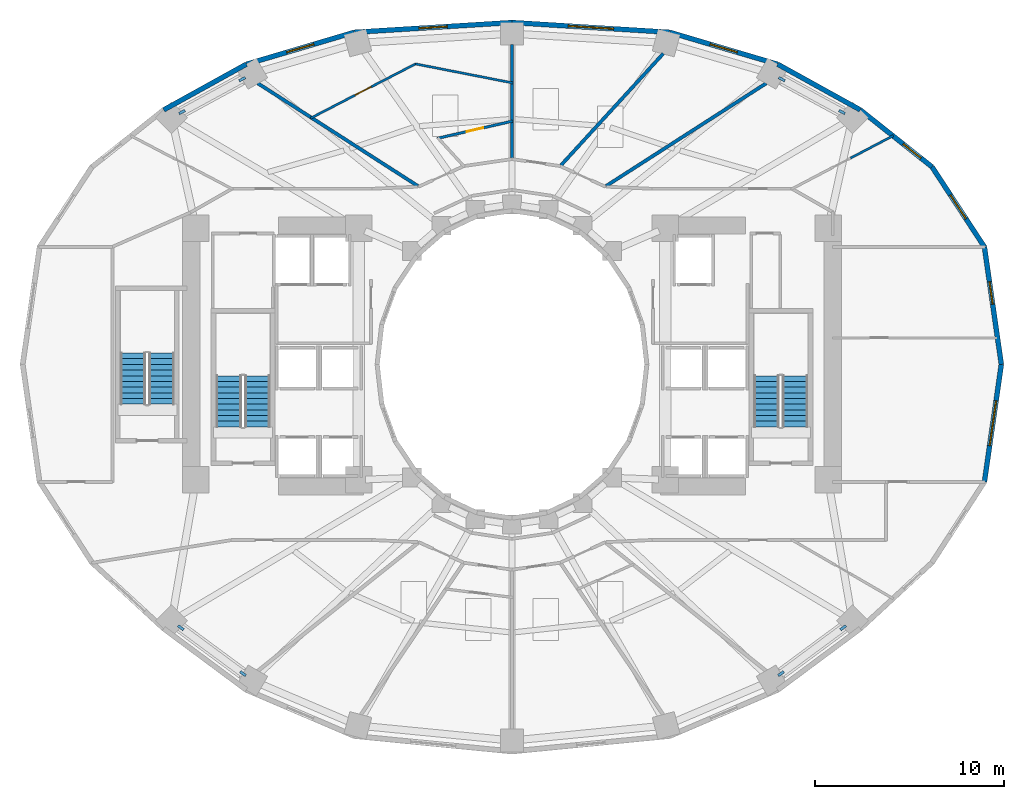
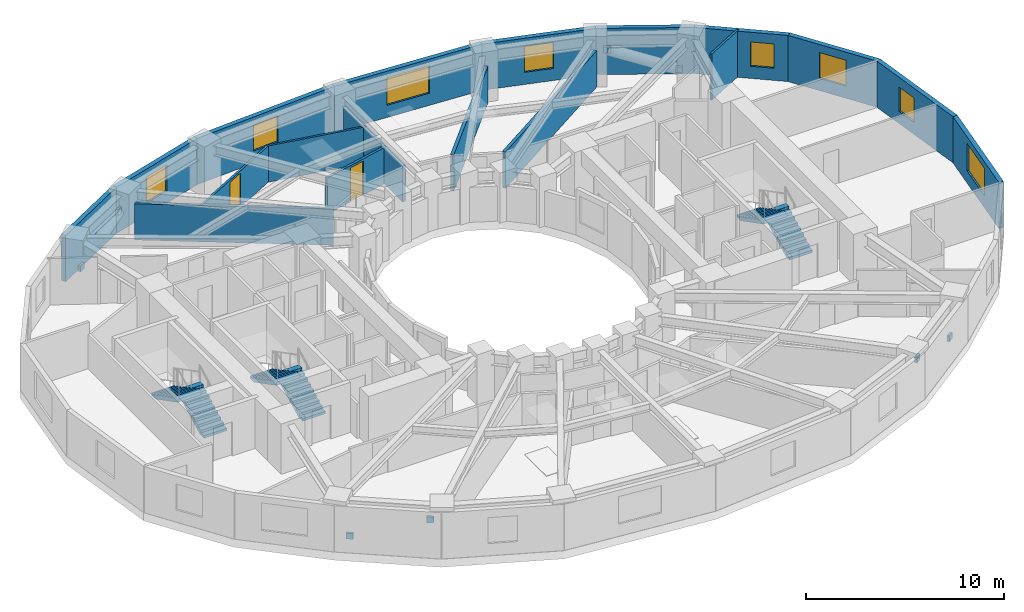
# One storey, part 7 of 9: 18 walls, 8 discrete accessories, 8 windows, 6 stair flights, 2 doors, 10 openings, 3 elements without a shape of their own.
"""IFC4 building model written with IfcOpenShell, lengths in metres."""

from ifc_helpers import new_model, si_unit, direction, frame, frame_2d, origin, origin_2d, place, context, subcontext, project, spatial, polyline, rectangle, outline, extrude, material, layer, layer_set, type_object, element, fill, aggregate, save


model = new_model("IFC4")

# Units and contexts
model_context = context("Model", 3, precision=1e-05, world=origin(), true_north=direction((0.0, 1.0)))
body_context = subcontext(model_context, "Body", "Model", "MODEL_VIEW")
ifc_project = project(units=[si_unit("LENGTHUNIT", "METRE"), si_unit("AREAUNIT", "SQUARE_METRE"), si_unit("VOLUMEUNIT", "CUBIC_METRE"), si_unit("PLANEANGLEUNIT", "RADIAN"), si_unit("MASSUNIT", "GRAM", prefix="KILO")], contexts=[model_context])

# Site, building, storey
site_placement = place(None, origin())
site = spatial("IfcSite", under=ifc_project, at=site_placement, CompositionType="ELEMENT")
building_placement = place(site_placement, origin())
building = spatial("IfcBuilding", under=site, at=building_placement, Name="Solvane Sanctuary Tower", CompositionType="ELEMENT")
storey_placement = place(building_placement, frame((0.0, 0.0, 55.5)))
storey = spatial("IfcBuildingStorey", under=building, at=storey_placement, Name="L16", CompositionType="ELEMENT", Elevation=55.5)

# Wall, opening, window
ifc_material_1 = material(Name="Precast concrete C40/50", Category="concrete")
ifc_layer_1 = layer(ifc_material_1, 0.260009765625, Name="Precast concrete C40/50")
ifc_layer_set_1 = layer_set([ifc_layer_1], Name="Precast concrete C40/50")
wall_type_1 = type_object("IfcWallType", Name="Wall W-EXT-250", PredefinedType="STANDARD", material=ifc_layer_set_1)
wall_1_placement = place(storey_placement, frame((57.860107421875, 23.0, 0.0), z_axis=(0.0, 0.0, 1.0), x_axis=(-0.142528001686, 0.989790770181, 0.0)))
wall_1 = element("IfcWall", 1, at=wall_1_placement, inside=storey, type_object=wall_type_1, Name="L16 Ceramic-Printed Facade Wall 00", PredefinedType="STANDARD", context=body_context, shape_type="SweptSolid", body=[
    extrude(rectangle(XDim=6.269287109375, YDim=0.260009765625, at=frame_2d((3.134765625, 0.0))), origin(), (0.0, 0.0, 1.0), 2.85009765625),
])
opening_1_placement = place(wall_1_placement, frame((3.216796875, 0.0, 0.75)))
opening_1 = element("IfcOpeningElement", 2, at=opening_1_placement, cuts=wall_1, Name="Opening WN-OPER-1200", PredefinedType="OPENING", context=body_context, shape_type="SweptSolid", body=[
    extrude(rectangle(XDim=1.199951171875, YDim=1.5, at=frame_2d((0.60009765625, 0.75))), frame((0.0, 0.139892578125, 0.0), z_axis=(0.0, -1.0, 0.0), x_axis=(1.0, 0.0, 0.0)), (0.0, 0.0, 1.0), 0.280029296875),
])
ifc_material_2 = material(Name="Dark Ceramic-Fritted Low-E Glass", Category="glass")
window_type_1 = type_object("IfcWindowType", Name="Window WN-OPER-1200", PartitioningType="SINGLE_PANEL", PredefinedType="WINDOW", material=ifc_material_2)
window_1_placement = place(opening_1_placement, origin())
window_1 = element("IfcWindow", 3, at=window_1_placement, inside=storey, type_object=window_type_1, Name="L16 Operable Facade Window 00", OverallHeight=1.5, OverallWidth=1.199951171875, PartitioningType="SINGLE_PANEL", PredefinedType="WINDOW", context=body_context, shape_type="SweptSolid", body=[
    extrude(rectangle(XDim=1.199951171875, YDim=1.5, at=frame_2d((0.60009765625, 0.75))), frame((0.0, 0.030029296875, 0.0), z_axis=(0.0, -1.0, 0.0), x_axis=(1.0, 0.0, 0.0)), (0.0, 0.0, 1.0), 0.06005859375),
])
fill(opening_1, window_1)

wall_2_placement = place(storey_placement, frame((56.966552734375, 29.205322265625, 0.0), z_axis=(0.0, 0.0, 1.0), x_axis=(-0.547702757047, 0.836672988642, 0.0)))
wall_2 = element("IfcWall", 4, at=wall_2_placement, inside=storey, type_object=wall_type_1, Name="L16 Ceramic-Printed Facade Wall 01", PredefinedType="STANDARD", context=body_context, shape_type="SweptSolid", body=[
    extrude(rectangle(XDim=5.0625, YDim=0.260009765625, at=frame_2d((2.53125, 0.0))), origin(), (0.0, 0.0, 1.0), 2.85009765625),
])
opening_2_placement = place(wall_2_placement, frame((1.78125, 0.0, 0.75)))
opening_2 = element("IfcOpeningElement", 5, at=opening_2_placement, cuts=wall_2, Name="Opening WN-OPER-1500", PredefinedType="OPENING", context=body_context, shape_type="SweptSolid", body=[
    extrude(rectangle(XDim=1.5, YDim=1.60009765625, at=frame_2d((0.75, 0.800048828125))), frame((0.0, 0.139892578125, 0.0), z_axis=(0.0, -1.0, 0.0), x_axis=(1.0, 0.0, 0.0)), (0.0, 0.0, 1.0), 0.280029296875),
])
window_type_2 = type_object("IfcWindowType", Name="Window WN-OPER-1500", PartitioningType="SINGLE_PANEL", PredefinedType="WINDOW", material=ifc_material_2)
window_2_placement = place(opening_2_placement, origin())
window_2 = element("IfcWindow", 6, at=window_2_placement, inside=storey, type_object=window_type_2, Name="L16 Operable Facade Window 01", OverallHeight=1.60009765625, OverallWidth=1.5, PartitioningType="SINGLE_PANEL", PredefinedType="WINDOW", context=body_context, shape_type="SweptSolid", body=[
    extrude(rectangle(XDim=1.5, YDim=1.60009765625, at=frame_2d((0.75, 0.800048828125))), frame((0.0, 0.030029296875, 0.0), z_axis=(0.0, -1.0, 0.0), x_axis=(1.0, 0.0, 0.0)), (0.0, 0.0, 1.0), 0.06005859375),
])
fill(opening_2, window_2)

wall_3_placement = place(storey_placement, frame((54.19384765625, 33.44091796875, 0.0), z_axis=(0.0, 0.0, 1.0), x_axis=(-0.783123133379, 0.621866672179, 0.0)))
wall_3 = element("IfcWall", 7, at=wall_3_placement, inside=storey, type_object=wall_type_1, Name="L16 Ceramic-Printed Facade Wall 02", PredefinedType="STANDARD", context=body_context, shape_type="SweptSolid", body=[
    extrude(rectangle(XDim=4.838623046875, YDim=0.260009765625, at=frame_2d((2.41943359375, 0.0))), origin(), (0.0, 0.0, 1.0), 2.85009765625),
])
opening_3_placement = place(wall_3_placement, frame((0.740966796875, 0.0, 0.75)))
opening_3 = element("IfcOpeningElement", 8, at=opening_3_placement, cuts=wall_3, Name="Opening WN-OPER-1200", PredefinedType="OPENING", context=body_context, shape_type="SweptSolid", body=[
    extrude(rectangle(XDim=1.199951171875, YDim=1.5, at=frame_2d((0.60009765625, 0.75))), frame((0.0, 0.139892578125, 0.0), z_axis=(0.0, -1.0, 0.0), x_axis=(1.0, 0.0, 0.0)), (0.0, 0.0, 1.0), 0.280029296875),
])
window_3_placement = place(opening_3_placement, origin())
window_3 = element("IfcWindow", 9, at=window_3_placement, inside=storey, type_object=window_type_1, Name="L16 Operable Facade Window 02", OverallHeight=1.5, OverallWidth=1.199951171875, PartitioningType="SINGLE_PANEL", PredefinedType="WINDOW", context=body_context, shape_type="SweptSolid", body=[
    extrude(rectangle(XDim=1.199951171875, YDim=1.5, at=frame_2d((0.60009765625, 0.75))), frame((0.0, 0.030029296875, 0.0), z_axis=(0.0, -1.0, 0.0), x_axis=(1.0, 0.0, 0.0)), (0.0, 0.0, 1.0), 0.06005859375),
])
fill(opening_3, window_3)

# Wall
wall_4_placement = place(storey_placement, frame((50.404541015625, 36.449951171875, 0.0), z_axis=(0.0, 0.0, 1.0), x_axis=(-0.875137303239, 0.483874674352, 0.0)))
element("IfcWall", 10, at=wall_4_placement, inside=storey, type_object=wall_type_1, Name="L16 Ceramic-Printed Facade Wall 03", PredefinedType="STANDARD", context=body_context, shape_type="SweptSolid", body=[
    extrude(rectangle(XDim=4.985107421875, YDim=0.260009765625, at=frame_2d((2.49267578125, 0.0))), origin(), (0.0, 0.0, 1.0), 2.85009765625),
])

# Wall, opening, window
wall_5_placement = place(storey_placement, frame((46.0419921875, 38.862060546875, 0.0), z_axis=(0.0, 0.0, 1.0), x_axis=(-0.958843593522, 0.283934786811, 0.0)))
wall_5 = element("IfcWall", 11, at=wall_5_placement, inside=storey, type_object=wall_type_1, Name="L16 Ceramic-Printed Facade Wall 04", PredefinedType="STANDARD", context=body_context, shape_type="SweptSolid", body=[
    extrude(rectangle(XDim=5.955322265625, YDim=0.260009765625, at=frame_2d((2.9775390625, 0.0))), origin(), (0.0, 0.0, 1.0), 2.85009765625),
])
opening_4_placement = place(wall_5_placement, frame((2.227783203125, 0.0, 0.75)))
opening_4 = element("IfcOpeningElement", 12, at=opening_4_placement, cuts=wall_5, Name="Opening WN-OPER-1500", PredefinedType="OPENING", context=body_context, shape_type="SweptSolid", body=[
    extrude(rectangle(XDim=1.5, YDim=1.60009765625, at=frame_2d((0.75, 0.800048828125))), frame((0.0, 0.139892578125, 0.0), z_axis=(0.0, -1.0, 0.0), x_axis=(1.0, 0.0, 0.0)), (0.0, 0.0, 1.0), 0.280029296875),
])
window_4_placement = place(opening_4_placement, origin())
window_4 = element("IfcWindow", 13, at=window_4_placement, inside=storey, type_object=window_type_2, Name="L16 Operable Facade Window 04", OverallHeight=1.60009765625, OverallWidth=1.5, PartitioningType="SINGLE_PANEL", PredefinedType="WINDOW", context=body_context, shape_type="SweptSolid", body=[
    extrude(rectangle(XDim=1.5, YDim=1.60009765625, at=frame_2d((0.75, 0.800048828125))), frame((0.0, 0.030029296875, 0.0), z_axis=(0.0, -1.0, 0.0), x_axis=(1.0, 0.0, 0.0)), (0.0, 0.0, 1.0), 0.06005859375),
])
fill(opening_4, window_4)

wall_6_placement = place(storey_placement, frame((40.331787109375, 40.552978515625, 0.0), z_axis=(0.0, 0.0, 1.0), x_axis=(-0.998090514779, 0.061768311519, 0.0)))
wall_6 = element("IfcWall", 14, at=wall_6_placement, inside=storey, type_object=wall_type_1, Name="L16 Ceramic-Printed Facade Wall 05", PredefinedType="STANDARD", context=body_context, shape_type="SweptSolid", body=[
    extrude(rectangle(XDim=8.34765625, YDim=0.260009765625, at=frame_2d((4.173828125, 0.0))), origin(), (0.0, 0.0, 1.0), 2.85009765625),
])
opening_5_placement = place(wall_6_placement, frame((2.973876953125, 0.0, 0.75)))
opening_5 = element("IfcOpeningElement", 15, at=opening_5_placement, cuts=wall_6, Name="Opening WN-RIB-2400", PredefinedType="OPENING", context=body_context, shape_type="SweptSolid", body=[
    extrude(rectangle(XDim=2.39990234375, YDim=1.699951171875, at=frame_2d((1.199951171875, 0.85009765625))), frame((0.0, 0.139892578125, 0.0), z_axis=(0.0, -1.0, 0.0), x_axis=(1.0, 0.0, 0.0)), (0.0, 0.0, 1.0), 0.280029296875),
])
window_type_3 = type_object("IfcWindowType", Name="Window WN-RIB-2400", PartitioningType="SINGLE_PANEL", PredefinedType="WINDOW", material=ifc_material_2)
window_5_placement = place(opening_5_placement, origin())
window_5 = element("IfcWindow", 16, at=window_5_placement, inside=storey, type_object=window_type_3, Name="L16 Operable Facade Window 05", OverallHeight=1.699951171875, OverallWidth=2.39990234375, PartitioningType="SINGLE_PANEL", PredefinedType="WINDOW", context=body_context, shape_type="SweptSolid", body=[
    extrude(rectangle(XDim=2.39990234375, YDim=1.699951171875, at=frame_2d((1.199951171875, 0.85009765625))), frame((0.0, 0.030029296875, 0.0), z_axis=(0.0, -1.0, 0.0), x_axis=(1.0, 0.0, 0.0)), (0.0, 0.0, 1.0), 0.06005859375),
])
fill(opening_5, window_5)

wall_7_placement = place(storey_placement, frame((32.0, 41.068603515625, 0.0), z_axis=(0.0, 0.0, 1.0), x_axis=(-0.998090514779, -0.061768311519, 0.0)))
wall_7 = element("IfcWall", 17, at=wall_7_placement, inside=storey, type_object=wall_type_1, Name="L16 Ceramic-Printed Facade Wall 06", PredefinedType="STANDARD", context=body_context, shape_type="SweptSolid", body=[
    extrude(rectangle(XDim=8.34765625, YDim=0.260009765625, at=frame_2d((4.173828125, 0.0))), origin(), (0.0, 0.0, 1.0), 2.85009765625),
])
opening_6_placement = place(wall_7_placement, frame((3.423828125, 0.0, 0.75)))
opening_6 = element("IfcOpeningElement", 18, at=opening_6_placement, cuts=wall_7, Name="Opening WN-OPER-1500", PredefinedType="OPENING", context=body_context, shape_type="SweptSolid", body=[
    extrude(rectangle(XDim=1.5, YDim=1.60009765625, at=frame_2d((0.75, 0.800048828125))), frame((0.0, 0.139892578125, 0.0), z_axis=(0.0, -1.0, 0.0), x_axis=(1.0, 0.0, 0.0)), (0.0, 0.0, 1.0), 0.280029296875),
])
window_6_placement = place(opening_6_placement, origin())
window_6 = element("IfcWindow", 19, at=window_6_placement, inside=storey, type_object=window_type_2, Name="L16 Operable Facade Window 06", OverallHeight=1.60009765625, OverallWidth=1.5, PartitioningType="SINGLE_PANEL", PredefinedType="WINDOW", context=body_context, shape_type="SweptSolid", body=[
    extrude(rectangle(XDim=1.5, YDim=1.60009765625, at=frame_2d((0.75, 0.800048828125))), frame((0.0, 0.030029296875, 0.0), z_axis=(0.0, -1.0, 0.0), x_axis=(1.0, 0.0, 0.0)), (0.0, 0.0, 1.0), 0.06005859375),
])
fill(opening_6, window_6)

wall_8_placement = place(storey_placement, frame((23.668212890625, 40.552978515625, 0.0), z_axis=(0.0, 0.0, 1.0), x_axis=(-0.958843593522, -0.283934786811, 0.0)))
wall_8 = element("IfcWall", 20, at=wall_8_placement, inside=storey, type_object=wall_type_1, Name="L16 Ceramic-Printed Facade Wall 07", PredefinedType="STANDARD", context=body_context, shape_type="SweptSolid", body=[
    extrude(rectangle(XDim=5.955322265625, YDim=0.260009765625, at=frame_2d((2.9775390625, 0.0))), origin(), (0.0, 0.0, 1.0), 2.85009765625),
])
opening_7_placement = place(wall_8_placement, frame((2.227783203125, 0.0, 0.75)))
opening_7 = element("IfcOpeningElement", 21, at=opening_7_placement, cuts=wall_8, Name="Opening WN-OPER-1500", PredefinedType="OPENING", context=body_context, shape_type="SweptSolid", body=[
    extrude(rectangle(XDim=1.5, YDim=1.60009765625, at=frame_2d((0.75, 0.800048828125))), frame((0.0, 0.139892578125, 0.0), z_axis=(0.0, -1.0, 0.0), x_axis=(1.0, 0.0, 0.0)), (0.0, 0.0, 1.0), 0.280029296875),
])
window_7_placement = place(opening_7_placement, origin())
window_7 = element("IfcWindow", 22, at=window_7_placement, inside=storey, type_object=window_type_2, Name="L16 Operable Facade Window 07", OverallHeight=1.60009765625, OverallWidth=1.5, PartitioningType="SINGLE_PANEL", PredefinedType="WINDOW", context=body_context, shape_type="SweptSolid", body=[
    extrude(rectangle(XDim=1.5, YDim=1.60009765625, at=frame_2d((0.75, 0.800048828125))), frame((0.0, 0.030029296875, 0.0), z_axis=(0.0, -1.0, 0.0), x_axis=(1.0, 0.0, 0.0)), (0.0, 0.0, 1.0), 0.06005859375),
])
fill(opening_7, window_7)

# Wall
wall_9_placement = place(storey_placement, frame((17.9580078125, 38.862060546875, 0.0), z_axis=(0.0, 0.0, 1.0), x_axis=(-0.875137303239, -0.483874674352, 0.0)))
element("IfcWall", 23, at=wall_9_placement, inside=storey, type_object=wall_type_1, Name="L16 Ceramic-Printed Facade Wall 08", PredefinedType="STANDARD", context=body_context, shape_type="SweptSolid", body=[
    extrude(rectangle(XDim=4.985107421875, YDim=0.260009765625, at=frame_2d((2.49267578125, 0.0))), origin(), (0.0, 0.0, 1.0), 2.85009765625),
])

# Wall, opening, window
wall_10_placement = place(storey_placement, frame((56.966552734375, 16.794677734375, 0.0), z_axis=(0.0, 0.0, 1.0), x_axis=(0.142528001686, 0.989790770181, 0.0)))
wall_10 = element("IfcWall", 24, at=wall_10_placement, inside=storey, type_object=wall_type_1, Name="L16 Ceramic-Printed Facade Wall 23", PredefinedType="STANDARD", context=body_context, shape_type="SweptSolid", body=[
    extrude(rectangle(XDim=6.269287109375, YDim=0.260009765625, at=frame_2d((3.134765625, 0.0))), origin(), (0.0, 0.0, 1.0), 2.85009765625),
])
opening_8_placement = place(wall_10_placement, frame((1.9345703125, 0.0, 0.75)))
opening_8 = element("IfcOpeningElement", 25, at=opening_8_placement, cuts=wall_10, Name="Opening WN-RIB-2400", PredefinedType="OPENING", context=body_context, shape_type="SweptSolid", body=[
    extrude(rectangle(XDim=2.39990234375, YDim=1.699951171875, at=frame_2d((1.199951171875, 0.85009765625))), frame((0.0, 0.139892578125, 0.0), z_axis=(0.0, -1.0, 0.0), x_axis=(1.0, 0.0, 0.0)), (0.0, 0.0, 1.0), 0.280029296875),
])
window_8_placement = place(opening_8_placement, origin())
window_8 = element("IfcWindow", 26, at=window_8_placement, inside=storey, type_object=window_type_3, Name="L16 Operable Facade Window 23", OverallHeight=1.699951171875, OverallWidth=2.39990234375, PartitioningType="SINGLE_PANEL", PredefinedType="WINDOW", context=body_context, shape_type="SweptSolid", body=[
    extrude(rectangle(XDim=2.39990234375, YDim=1.699951171875, at=frame_2d((1.199951171875, 0.85009765625))), frame((0.0, 0.030029296875, 0.0), z_axis=(0.0, -1.0, 0.0), x_axis=(1.0, 0.0, 0.0)), (0.0, 0.0, 1.0), 0.06005859375),
])
fill(opening_8, window_8)

# Walls
ifc_material_3 = material(Name="Acoustic Gypsum Partition Board")
ifc_layer_2 = layer(ifc_material_3, 0.1201171875, Name="Acoustic Gypsum Partition Board")
ifc_layer_set_2 = layer_set([ifc_layer_2], Name="Acoustic Gypsum Partition Board")
wall_type_2 = type_object("IfcWallType", Name="Wall W-MOV-100", PredefinedType="MOVABLE", material=ifc_layer_set_2)
wall_11_placement = place(storey_placement, frame((49.8955078125, 33.904052734375, 0.0), z_axis=(0.0, 0.0, 1.0), x_axis=(0.885573027611, 0.464500175208, 0.0)))
element("IfcWall", 27, at=wall_11_placement, inside=storey, type_object=wall_type_2, Name="L16 NE Corner Suite Partition", PredefinedType="MOVABLE", context=body_context, shape_type="SweptSolid", body=[
    extrude(rectangle(XDim=2.55224609375, YDim=0.1201171875, at=frame_2d((1.276123046875, 0.0))), origin(), (0.0, 0.0, 1.0), 2.85498046875),
])
wall_12_placement = place(storey_placement, frame((32.049072265625, 37.87109375, 0.0), z_axis=(0.0, 0.0, 1.0), x_axis=(-0.981343325718, 0.192263561471, 0.0)))
element("IfcWall", 28, at=wall_12_placement, inside=storey, type_object=wall_type_2, Name="L16 Suite Sitting Lounge Partition N3", PredefinedType="MOVABLE", context=body_context, shape_type="SweptSolid", body=[
    extrude(rectangle(XDim=5.254638671875, YDim=0.1201171875, at=frame_2d((2.62744140625, 0.0))), origin(), (0.0, 0.0, 1.0), 2.237060546875),
])

# Wall, opening, door
wall_13_placement = place(storey_placement, frame((26.911376953125, 38.884033203125, 0.0), z_axis=(0.0, 0.0, 1.0), x_axis=(-0.88815498257, -0.459544042433, 0.0)))
wall_13 = element("IfcWall", 29, at=wall_13_placement, inside=storey, type_object=wall_type_2, Name="L16 Suite Sitting Lounge Partition N3", PredefinedType="MOVABLE", context=body_context, shape_type="SweptSolid", body=[
    extrude(rectangle(XDim=6.2509765625, YDim=0.1201171875, at=frame_2d((3.12548828125, 0.0))), origin(), (0.0, 0.0, 1.0), 2.237060546875),
])
opening_9_placement = place(wall_13_placement, frame((2.650390625, 0.0, 0.0)))
opening_9 = element("IfcOpeningElement", 30, at=opening_9_placement, cuts=wall_13, Name="Opening D-L16-20", PredefinedType="OPENING", context=body_context, shape_type="SweptSolid", body=[
    extrude(rectangle(XDim=0.949951171875, YDim=2.10009765625, at=frame_2d((0.47509765625, 1.050048828125))), frame((0.0, 0.070068359375, 0.0), z_axis=(0.0, -1.0, 0.0), x_axis=(1.0, 0.0, 0.0)), (0.0, 0.0, 1.0), 0.14013671875),
])
ifc_material_4 = material(Name="Engineered Tropical Hardwood", Category="wood")
door_type_1 = type_object("IfcDoorType", Name="Door D-ROOM-950", OperationType="NOTDEFINED", PredefinedType="DOOR", material=ifc_material_4)
door_1_placement = place(opening_9_placement, origin())
door_1 = element("IfcDoor", 31, at=door_1_placement, inside=storey, type_object=door_type_1, Name="L16 Suite Sitting Lounge Door N3", OperationType="SINGLE_SWING_RIGHT", OverallHeight=2.10009765625, OverallWidth=0.949951171875, PredefinedType="DOOR", context=body_context, shape_type="SweptSolid", body=[
    extrude(rectangle(XDim=0.949951171875, YDim=2.10009765625, at=frame_2d((0.47509765625, 1.050048828125))), frame((0.0, 0.02490234375, 0.0), z_axis=(0.0, -1.0, 0.0), x_axis=(1.0, 0.0, 0.0)), (0.0, 0.0, 1.0), 0.050048828125),
])
fill(opening_9, door_1)

# Walls
ifc_layer_3 = layer(ifc_material_3, 0.179931640625, Name="Acoustic Gypsum Partition Board")
ifc_layer_set_3 = layer_set([ifc_layer_3], Name="Acoustic Gypsum Partition Board")
wall_type_3 = type_object("IfcWallType", Name="Wall W-UNIT-180", PredefinedType="PARTITIONING", material=ifc_layer_set_3)
wall_14_placement = place(storey_placement, frame((36.97119140625, 32.426025390625, 0.0), z_axis=(0.0, 0.0, 1.0), x_axis=(0.841689919529, 0.5399611832, 0.0)))
element("IfcWall", 32, at=wall_14_placement, inside=storey, type_object=wall_type_3, Name="L16 Radial Compartment Wall 060", PredefinedType="PARTITIONING", context=body_context, shape_type="SweptSolid", body=[
    extrude(rectangle(XDim=10.058349609375, YDim=0.179931640625, at=frame_2d((5.029296875, 0.0))), origin(), (0.0, 0.0, 1.0), 2.237060546875),
])
wall_15_placement = place(storey_placement, frame((34.58642578125, 33.52099609375, 0.0), z_axis=(0.0, 0.0, 1.0), x_axis=(0.675465011224, 0.737392038615, 0.0)))
element("IfcWall", 33, at=wall_15_placement, inside=storey, type_object=wall_type_3, Name="L16 Radial Compartment Wall 075", PredefinedType="PARTITIONING", context=body_context, shape_type="SweptSolid", body=[
    extrude(rectangle(XDim=8.007080078125, YDim=0.179931640625, at=frame_2d((4.00341796875, 0.0))), origin(), (0.0, 0.0, 1.0), 2.237060546875),
])
wall_16_placement = place(storey_placement, frame((32.0, 33.905029296875, 0.0), z_axis=(0.0, 0.0, 1.0), x_axis=(0.0, 1.0, 0.0)))
element("IfcWall", 34, at=wall_16_placement, inside=storey, type_object=wall_type_3, Name="L16 Radial Compartment Wall 090", PredefinedType="PARTITIONING", context=body_context, shape_type="SweptSolid", body=[
    extrude(rectangle(XDim=5.994873046875, YDim=0.179931640625, at=frame_2d((2.99755859375, 0.0))), origin(), (0.0, 0.0, 1.0), 2.237060546875),
])
wall_17_placement = place(storey_placement, frame((27.02880859375, 32.426025390625, 0.0), z_axis=(0.0, 0.0, 1.0), x_axis=(-0.841689919529, 0.5399611832, 0.0)))
element("IfcWall", 35, at=wall_17_placement, inside=storey, type_object=wall_type_3, Name="L16 Radial Compartment Wall 120", PredefinedType="PARTITIONING", context=body_context, shape_type="SweptSolid", body=[
    extrude(rectangle(XDim=10.058349609375, YDim=0.179931640625, at=frame_2d((5.029296875, 0.0))), origin(), (0.0, 0.0, 1.0), 2.237060546875),
])

# Wall, opening, door
ifc_layer_4 = layer(ifc_material_3, 0.139892578125, Name="Acoustic Gypsum Partition Board")
ifc_layer_set_4 = layer_set([ifc_layer_4], Name="Acoustic Gypsum Partition Board")
wall_type_4 = type_object("IfcWallType", Name="Wall W-WET-140", PredefinedType="PLUMBINGWALL", material=ifc_layer_set_4)
wall_18_placement = place(storey_placement, frame((32.048583984375, 35.861083984375, 0.0), z_axis=(0.0, 0.0, 1.0), x_axis=(-0.974672340529, -0.223637717318, 0.0)))
wall_18 = element("IfcWall", 36, at=wall_18_placement, inside=storey, type_object=wall_type_4, Name="L16 En-suite Bedroom Wall N3", PredefinedType="PLUMBINGWALL", context=body_context, shape_type="SweptSolid", body=[
    extrude(rectangle(XDim=4.101318359375, YDim=0.139892578125, at=frame_2d((2.05078125, 0.0))), origin(), (0.0, 0.0, 1.0), 2.237060546875),
])
opening_10_placement = place(wall_18_placement, frame((1.600830078125, 0.0, 0.0)))
opening_10 = element("IfcOpeningElement", 37, at=opening_10_placement, cuts=wall_18, Name="Opening D-L16-21", PredefinedType="OPENING", context=body_context, shape_type="SweptSolid", body=[
    extrude(rectangle(XDim=0.89990234375, YDim=2.10009765625, at=frame_2d((0.449951171875, 1.050048828125))), frame((0.0, 0.079833984375, 0.0), z_axis=(0.0, -1.0, 0.0), x_axis=(1.0, 0.0, 0.0)), (0.0, 0.0, 1.0), 0.159912109375),
])
door_type_2 = type_object("IfcDoorType", Name="Door D-WET-900", OperationType="NOTDEFINED", PredefinedType="DOOR", material=ifc_material_4)
door_2_placement = place(opening_10_placement, origin())
door_2 = element("IfcDoor", 38, at=door_2_placement, inside=storey, type_object=door_type_2, Name="L16 En-suite Bathroom Door N3", OperationType="SINGLE_SWING_LEFT", OverallHeight=2.10009765625, OverallWidth=0.89990234375, PredefinedType="DOOR", context=body_context, shape_type="SweptSolid", body=[
    extrude(rectangle(XDim=0.89990234375, YDim=2.10009765625, at=frame_2d((0.449951171875, 1.050048828125))), frame((0.0, 0.02490234375, 0.0), z_axis=(0.0, -1.0, 0.0), x_axis=(1.0, 0.0, 0.0)), (0.0, 0.0, 1.0), 0.050048828125),
])
fill(opening_10, door_2)

# Stair, stair flights
ifc_material_5 = material(Name="Concrete C45/55", Category="concrete")
stair_type = type_object("IfcStairType", Name="Stair ST-TOW", PredefinedType="HALF_TURN_STAIR", material=ifc_material_5)
stair_1_placement = place(storey_placement, origin())
stair_1 = element("IfcStair", 39, at=stair_1_placement, inside=storey, type_object=stair_type, Name="L16 Exit Stair ST-1 West Core", PredefinedType="HALF_TURN_STAIR")
stair_flight_type = type_object("IfcStairFlightType", Name="StairFlight SF-TOW", PredefinedType="STRAIGHT", material=ifc_material_5)
stair_flight_1_placement = place(storey_placement, frame((18.544921875, 19.699951171875, 0.0), z_axis=(0.0, 0.0, 1.0), x_axis=(0.0, 1.0, 0.0)))
stair_flight_1 = element("IfcStairFlight", 40, at=stair_flight_1_placement, type_object=stair_flight_type, Name="ST-1 flight 1", NumberOfRisers=10, NumberOfTreads=9, PredefinedType="STRAIGHT", RiserHeight=0.155, TreadLength=0.3, context=body_context, shape_type="SweptSolid", body=[
    extrude(outline(polyline([(0.0, 0.0), (0.0, 0.155029296875), (0.300048828125, 0.155029296875), (0.300048828125, 0.31005859375), (0.60009765625, 0.31005859375), (0.60009765625, 0.465087890625), (0.89990234375, 0.465087890625), (0.89990234375, 0.6201171875), (1.199951171875, 0.6201171875), (1.199951171875, 0.77490234375), (1.5, 0.77490234375), (1.5, 0.929931640625), (1.800048828125, 0.929931640625), (1.800048828125, 1.0849609375), (2.10009765625, 1.0849609375), (2.10009765625, 1.239990234375), (2.39990234375, 1.239990234375), (2.39990234375, 1.39501953125), (2.699951171875, 1.39501953125), (2.699951171875, 1.550048828125), (2.699951171875, 1.1923828125), (0.39208984375, 0.0), (0.0, 0.0)])), frame((0.0, 0.675048828125, 0.0), z_axis=(0.0, -1.0, 0.0), x_axis=(1.0, 0.0, 0.0)), (0.0, 0.0, 1.0), 1.35009765625),
])
stair_flight_2_placement = place(storey_placement, frame((17.034912109375, 22.39990234375, 1.550048828125), z_axis=(0.0, 0.0, 1.0), x_axis=(0.0, -1.0, 0.0)))
stair_flight_2 = element("IfcStairFlight", 41, at=stair_flight_2_placement, type_object=stair_flight_type, Name="ST-1 flight 2", NumberOfRisers=10, NumberOfTreads=9, PredefinedType="STRAIGHT", RiserHeight=0.155, TreadLength=0.3, context=body_context, shape_type="SweptSolid", body=[
    extrude(outline(polyline([(0.0, 0.0), (0.0, 0.155029296875), (0.300048828125, 0.155029296875), (0.300048828125, 0.31005859375), (0.60009765625, 0.31005859375), (0.60009765625, 0.465087890625), (0.89990234375, 0.465087890625), (0.89990234375, 0.6201171875), (1.199951171875, 0.6201171875), (1.199951171875, 0.77490234375), (1.5, 0.77490234375), (1.5, 0.929931640625), (1.800048828125, 0.929931640625), (1.800048828125, 1.0849609375), (2.10009765625, 1.0849609375), (2.10009765625, 1.239990234375), (2.39990234375, 1.239990234375), (2.39990234375, 1.39501953125), (2.699951171875, 1.39501953125), (2.699951171875, 1.550048828125), (2.699951171875, 1.1923828125), (0.39208984375, 0.0), (0.0, 0.0)])), frame((0.0, 0.675048828125, 0.0), z_axis=(0.0, -1.0, 0.0), x_axis=(1.0, 0.0, 0.0)), (0.0, 0.0, 1.0), 1.35009765625),
])
aggregate(stair_1, [stair_flight_1, stair_flight_2])

stair_2_placement = place(storey_placement, origin())
stair_2 = element("IfcStair", 42, at=stair_2_placement, inside=storey, type_object=stair_type, Name="L16 Exit Stair ST-2 East Core", PredefinedType="HALF_TURN_STAIR")
stair_flight_3_placement = place(storey_placement, frame((46.965087890625, 19.699951171875, 0.0), z_axis=(0.0, 0.0, 1.0), x_axis=(0.0, 1.0, 0.0)))
stair_flight_3 = element("IfcStairFlight", 43, at=stair_flight_3_placement, type_object=stair_flight_type, Name="ST-2 flight 1", NumberOfRisers=10, NumberOfTreads=9, PredefinedType="STRAIGHT", RiserHeight=0.155, TreadLength=0.3, context=body_context, shape_type="SweptSolid", body=[
    extrude(outline(polyline([(0.0, 0.0), (0.0, 0.155029296875), (0.300048828125, 0.155029296875), (0.300048828125, 0.31005859375), (0.60009765625, 0.31005859375), (0.60009765625, 0.465087890625), (0.89990234375, 0.465087890625), (0.89990234375, 0.6201171875), (1.199951171875, 0.6201171875), (1.199951171875, 0.77490234375), (1.5, 0.77490234375), (1.5, 0.929931640625), (1.800048828125, 0.929931640625), (1.800048828125, 1.0849609375), (2.10009765625, 1.0849609375), (2.10009765625, 1.239990234375), (2.39990234375, 1.239990234375), (2.39990234375, 1.39501953125), (2.699951171875, 1.39501953125), (2.699951171875, 1.550048828125), (2.699951171875, 1.1923828125), (0.39208984375, 0.0), (0.0, 0.0)])), frame((0.0, 0.675048828125, 0.0), z_axis=(0.0, -1.0, 0.0), x_axis=(1.0, 0.0, 0.0)), (0.0, 0.0, 1.0), 1.35009765625),
])
stair_flight_4_placement = place(storey_placement, frame((45.455078125, 22.39990234375, 1.550048828125), z_axis=(0.0, 0.0, 1.0), x_axis=(0.0, -1.0, 0.0)))
stair_flight_4 = element("IfcStairFlight", 44, at=stair_flight_4_placement, type_object=stair_flight_type, Name="ST-2 flight 2", NumberOfRisers=10, NumberOfTreads=9, PredefinedType="STRAIGHT", RiserHeight=0.155, TreadLength=0.3, context=body_context, shape_type="SweptSolid", body=[
    extrude(outline(polyline([(0.0, 0.0), (0.0, 0.155029296875), (0.300048828125, 0.155029296875), (0.300048828125, 0.31005859375), (0.60009765625, 0.31005859375), (0.60009765625, 0.465087890625), (0.89990234375, 0.465087890625), (0.89990234375, 0.6201171875), (1.199951171875, 0.6201171875), (1.199951171875, 0.77490234375), (1.5, 0.77490234375), (1.5, 0.929931640625), (1.800048828125, 0.929931640625), (1.800048828125, 1.0849609375), (2.10009765625, 1.0849609375), (2.10009765625, 1.239990234375), (2.39990234375, 1.239990234375), (2.39990234375, 1.39501953125), (2.699951171875, 1.39501953125), (2.699951171875, 1.550048828125), (2.699951171875, 1.1923828125), (0.39208984375, 0.0), (0.0, 0.0)])), frame((0.0, 0.675048828125, 0.0), z_axis=(0.0, -1.0, 0.0), x_axis=(1.0, 0.0, 0.0)), (0.0, 0.0, 1.0), 1.35009765625),
])
aggregate(stair_2, [stair_flight_3, stair_flight_4])

stair_3_placement = place(storey_placement, origin())
stair_3 = element("IfcStair", 45, at=stair_3_placement, inside=storey, type_object=stair_type, Name="L16 Exit Stair ST-3 Pilgrim Tower Stair", PredefinedType="HALF_TURN_STAIR")
stair_flight_5_placement = place(storey_placement, frame((13.485107421875, 20.89990234375, 0.0), z_axis=(0.0, 0.0, 1.0), x_axis=(0.0, 1.0, 0.0)))
stair_flight_5 = element("IfcStairFlight", 46, at=stair_flight_5_placement, type_object=stair_flight_type, Name="ST-3 flight 1", NumberOfRisers=10, NumberOfTreads=9, PredefinedType="STRAIGHT", RiserHeight=0.155, TreadLength=0.3, context=body_context, shape_type="SweptSolid", body=[
    extrude(outline(polyline([(0.0, 0.0), (0.0, 0.155029296875), (0.300048828125, 0.155029296875), (0.300048828125, 0.31005859375), (0.60009765625, 0.31005859375), (0.60009765625, 0.465087890625), (0.89990234375, 0.465087890625), (0.89990234375, 0.6201171875), (1.199951171875, 0.6201171875), (1.199951171875, 0.77490234375), (1.5, 0.77490234375), (1.5, 0.929931640625), (1.800048828125, 0.929931640625), (1.800048828125, 1.0849609375), (2.10009765625, 1.0849609375), (2.10009765625, 1.239990234375), (2.39990234375, 1.239990234375), (2.39990234375, 1.39501953125), (2.699951171875, 1.39501953125), (2.699951171875, 1.550048828125), (2.699951171875, 1.1923828125), (0.39208984375, 0.0), (0.0, 0.0)])), frame((0.0, 0.675048828125, 0.0), z_axis=(0.0, -1.0, 0.0), x_axis=(1.0, 0.0, 0.0)), (0.0, 0.0, 1.0), 1.35009765625),
])
stair_flight_6_placement = place(storey_placement, frame((11.97509765625, 23.60009765625, 1.550048828125), z_axis=(0.0, 0.0, 1.0), x_axis=(0.0, -1.0, 0.0)))
stair_flight_6 = element("IfcStairFlight", 47, at=stair_flight_6_placement, type_object=stair_flight_type, Name="ST-3 flight 2", NumberOfRisers=10, NumberOfTreads=9, PredefinedType="STRAIGHT", RiserHeight=0.155, TreadLength=0.3, context=body_context, shape_type="SweptSolid", body=[
    extrude(outline(polyline([(0.0, 0.0), (0.0, 0.155029296875), (0.300048828125, 0.155029296875), (0.300048828125, 0.31005859375), (0.60009765625, 0.31005859375), (0.60009765625, 0.465087890625), (0.89990234375, 0.465087890625), (0.89990234375, 0.6201171875), (1.199951171875, 0.6201171875), (1.199951171875, 0.77490234375), (1.5, 0.77490234375), (1.5, 0.929931640625), (1.800048828125, 0.929931640625), (1.800048828125, 1.0849609375), (2.10009765625, 1.0849609375), (2.10009765625, 1.239990234375), (2.39990234375, 1.239990234375), (2.39990234375, 1.39501953125), (2.699951171875, 1.39501953125), (2.699951171875, 1.550048828125), (2.699951171875, 1.1923828125), (0.39208984375, 0.0), (0.0, 0.0)])), frame((0.0, 0.675048828125, 0.0), z_axis=(0.0, -1.0, 0.0), x_axis=(1.0, 0.0, 0.0)), (0.0, 0.0, 1.0), 1.35009765625),
])
aggregate(stair_3, [stair_flight_5, stair_flight_6])

# Discrete accessories
ifc_material_6 = material(Name="Steel ASTM A572 Grade 50", Category="steel")
ifc_layer_5 = layer(ifc_material_6, 0.360107421875, Name="Steel ASTM A572 Grade 50")
ifc_layer_set_5 = layer_set([ifc_layer_5], Name="Steel ASTM A572 Grade 50")
discrete_accessory_type = type_object("IfcDiscreteAccessoryType", Name="Accessory ACC-GUSSET-BRK", PredefinedType="BRACKET", material=ifc_layer_set_5)
for number, where, z_axis, x_axis, name in (
    (48, (49.438232421875, 36.3369140625, 0.4228515625), (0.0, 0.0, 1.0), (-0.878066509545, 0.478538613714, 0.0), "L16 Perimeter Braced-Tube Diagonal NE End Gusset Bracket A"),
    (49, (46.25830078125, 38.070068359375, 1.705078125), (0.0, 0.0, 1.0), (-0.878066509545, 0.478538613714, 0.0), "L16 Perimeter Braced-Tube Diagonal NE End Gusset Bracket B"),
    (50, (14.561767578125, 36.3369140625, 0.4228515625), (0.0, 0.0, 1.0), (0.878066509545, 0.478538613714, 0.0), "L16 Perimeter Braced-Tube Diagonal NW End Gusset Bracket A"),
    (51, (17.74169921875, 38.070068359375, 1.705078125), (0.0, 0.0, 1.0), (0.878066509545, 0.478538613714, 0.0), "L16 Perimeter Braced-Tube Diagonal NW End Gusset Bracket B"),
    (52, (14.500244140625, 9.0830078125, 0.3984375), (0.0, 0.0, 1.0), (0.804271929332, -0.594261443885, 0.0), "L16 Perimeter Braced-Tube Diagonal SW End Gusset Bracket A"),
    (53, (17.783203125, 6.65771484375, 1.7216796875), (0.0, 0.0, 1.0), (0.804271929332, -0.594261443885, 0.0), "L16 Perimeter Braced-Tube Diagonal SW End Gusset Bracket B"),
    (54, (49.499755859375, 9.0830078125, 0.3984375), (0.0, 0.0, 1.0), (-0.804271929332, -0.594261443885, 0.0), "L16 Perimeter Braced-Tube Diagonal SE End Gusset Bracket A"),
    (55, (46.216796875, 6.65771484375, 1.7216796875), (0.0, 0.0, 1.0), (-0.804271929332, -0.594261443885, 0.0), "L16 Perimeter Braced-Tube Diagonal SE End Gusset Bracket B"),
):
    element("IfcDiscreteAccessory", number, at=place(storey_placement, frame(where, z_axis=z_axis, x_axis=x_axis)), inside=storey, type_object=discrete_accessory_type, Name=name, PredefinedType="BRACKET", context=body_context, shape_type="SweptSolid", body=[
        extrude(rectangle(XDim=0.360107421875, YDim=0.139892578125, at=origin_2d()), origin(), (0.0, 0.0, 1.0), 0.360107421875),
    ])

save(model, "model.ifc")
